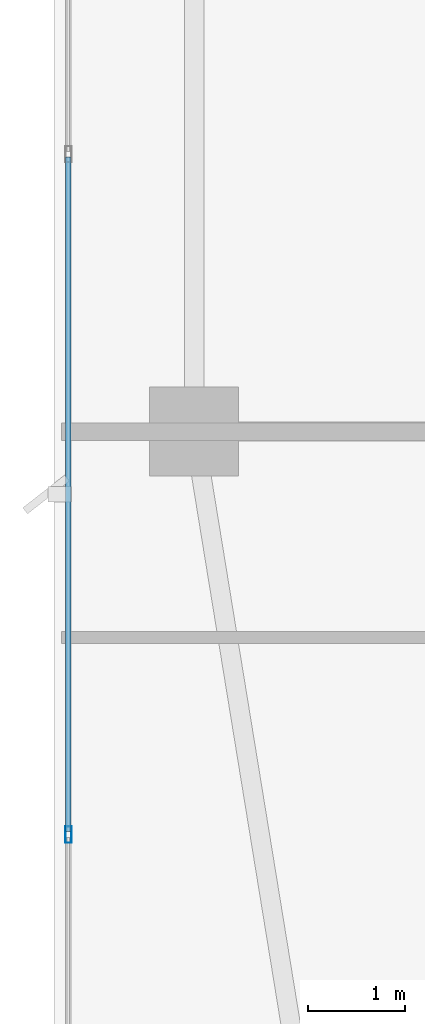
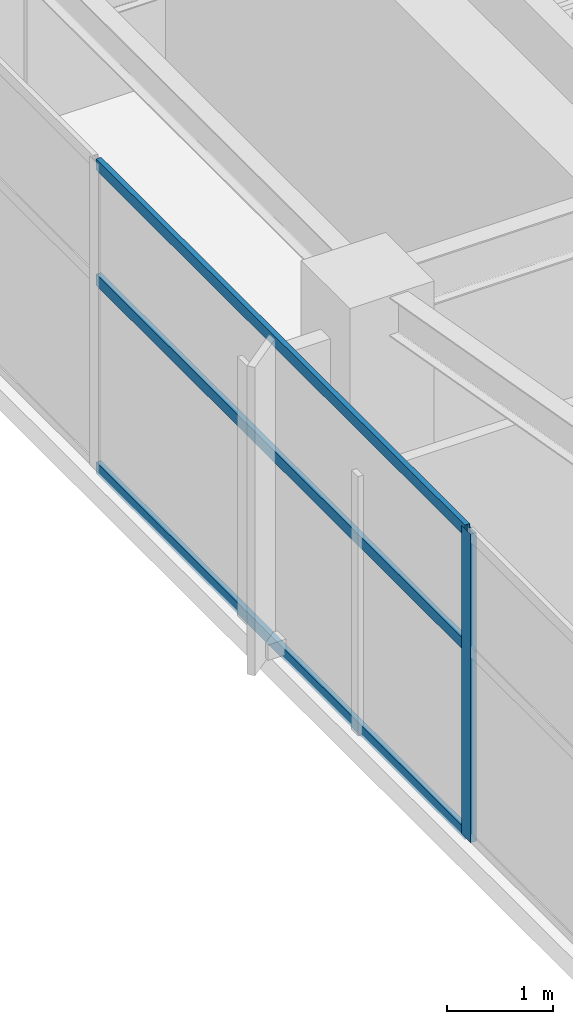
# One storey, part 5 of 28: 4 members, 1 element without a shape of its own.
"""IFC4 building model written with IfcOpenShell, lengths in metres."""

import ifcopenshell
import ifcopenshell.guid

model = None  # the IFC model being written
_history = None  # IfcOwnerHistory: only IFC2X3 demands one
_inside = {}  # id of a spatial element -> (the spatial element, [elements in it])
_under = {}  # id of a project, library or spatial element -> (it, [spatial elements below it])
_declared = {}  # id of a project -> (the project, [libraries it declares])
_typed = {}  # id of a type object -> (the type object, [elements of that type])
_made_of = {}  # id of a material, layer set ... -> (it, [elements and type objects made of it])


def new_model(schema):
    """Start an empty IFC model of exactly this schema.

    Asked for "IFC4X3", IfcOpenShell would pick the latest addendum, in which some entities
    have other attributes; the version numbers below select the first issue.
    IFC2X3 requires an IfcOwnerHistory on every rooted entity: one is made here for all.
    """
    global model, _history
    if schema == "IFC4X3":
        model = ifcopenshell.file(schema_version=(4, 3, 0, 0))
    else:
        model = ifcopenshell.file(schema=schema)
    _inside.clear()
    _under.clear()
    _declared.clear()
    _typed.clear()
    _made_of.clear()
    _history = None
    if model.schema == "IFC2X3":
        org = make("IfcOrganization", Name="unknown")
        user = make(
            "IfcPersonAndOrganization",
            ThePerson=make("IfcPerson", FamilyName="unknown"),
            TheOrganization=org,
        )
        app = make(
            "IfcApplication",
            ApplicationDeveloper=org,
            Version="unknown",
            ApplicationFullName="unknown",
            ApplicationIdentifier="unknown",
        )
        _history = make(
            "IfcOwnerHistory",
            OwningUser=user,
            OwningApplication=app,
            ChangeAction="ADDED",
            CreationDate=0,
        )
    return model


def make(cls, **values):
    """One entity of the class cls with the attributes given. An attribute that is None is left unset."""
    return model.create_entity(
        cls, **{name: value for name, value in values.items() if value is not None}
    )


def rooted(cls, **values):
    """An entity with a GlobalId (a new one), such as an element, a storey or a relation."""
    return make(cls, GlobalId=ifcopenshell.guid.new(), OwnerHistory=_history, **values)


def si_unit(unit_type, name, prefix=None):
    """IfcSIUnit, for example si_unit("LENGTHUNIT", "METRE", prefix="MILLI")."""
    return make("IfcSIUnit", UnitType=unit_type, Prefix=prefix, Name=name)


def assignment(units):
    """IfcUnitAssignment: the units of a project."""
    return None if units is None else make("IfcUnitAssignment", Units=units)


def point(xyz):
    """IfcCartesianPoint."""
    return None if xyz is None else make("IfcCartesianPoint", Coordinates=xyz)


def direction(xyz):
    """IfcDirection."""
    return None if xyz is None else make("IfcDirection", DirectionRatios=xyz)


def frame(location, z_axis=None, x_axis=None):
    """IfcAxis2Placement3D, a coordinate frame: its origin and axes. An axis left out is left unset."""
    return make(
        "IfcAxis2Placement3D",
        Location=point(location),
        Axis=direction(z_axis),
        RefDirection=direction(x_axis),
    )


def frame_2d(location, x_axis=None):
    """IfcAxis2Placement2D, a coordinate frame in the plane: its origin and x axis."""
    return make(
        "IfcAxis2Placement2D", Location=point(location), RefDirection=direction(x_axis)
    )


def origin():
    """The frame at (0, 0, 0) with its axes left unset."""
    return frame((0.0, 0.0, 0.0))


def origin_2d():
    """The frame at (0, 0) in the plane with its x axis left unset."""
    return frame_2d((0.0, 0.0))


def place(relative_to, where):
    """IfcLocalPlacement: puts the frame where relative to a parent placement (None: the world)."""
    return make(
        "IfcLocalPlacement", PlacementRelTo=relative_to, RelativePlacement=where
    )


def context(
    kind, dimensions, precision=None, world=None, true_north=None, identifier=None
):
    """IfcGeometricRepresentationContext, for example the 3D "Model" context."""
    return make(
        "IfcGeometricRepresentationContext",
        ContextIdentifier=identifier,
        ContextType=kind,
        CoordinateSpaceDimension=dimensions,
        Precision=precision,
        WorldCoordinateSystem=world,
        TrueNorth=true_north,
    )


def subcontext(parent, identifier, kind, view, scale=None):
    """IfcGeometricRepresentationSubContext, for example "Body" below "Model"."""
    return make(
        "IfcGeometricRepresentationSubContext",
        ContextIdentifier=identifier,
        ContextType=kind,
        ParentContext=parent,
        TargetScale=scale,
        TargetView=view,
    )


def project(units=None, contexts=None):
    """IfcProject with its units and contexts."""
    return rooted(
        "IfcProject",
        Name="project",
        RepresentationContexts=contexts,
        UnitsInContext=assignment(units),
    )


def spatial(cls, under=None, at=None, **own):
    """A site, building, storey or space (cls), placed at a placement, below another one or the project."""
    s = rooted(cls, ObjectPlacement=at, **own)
    if under is not None:
        _under.setdefault(under.id(), (under, []))[1].append(s)
    return s


def profile(cls, at=None, kind="AREA", **sizes):
    """A parametric profile (cls). Its sizes go by their IFC names, for example OverallWidth=200.0."""
    return make(cls, ProfileType=kind, Position=at, **sizes)


def hollow_rectangle(**sizes):
    """IfcRectangleHollowProfileDef."""
    return profile("IfcRectangleHollowProfileDef", **sizes)


def extrude(swept, where, along, depth):
    """IfcExtrudedAreaSolid: the profile swept, set in the frame where, extruded along a direction by depth."""
    return make(
        "IfcExtrudedAreaSolid",
        SweptArea=swept,
        Position=where,
        ExtrudedDirection=direction(along),
        Depth=depth,
    )


def shape(context_of_items, identifier, shape_type, items):
    """IfcShapeRepresentation: the items that make up one representation, for example the "Body"."""
    return make(
        "IfcShapeRepresentation",
        ContextOfItems=context_of_items,
        RepresentationIdentifier=identifier,
        RepresentationType=shape_type,
        Items=items,
    )


def material(Name=None, Category=None):
    """IfcMaterial."""
    return make("IfcMaterial", Name=Name, Category=Category)


def layer(
    of_material, thickness, ventilated=None, Name=None, Category=None, Priority=None
):
    """IfcMaterialLayer: one layer of a wall or slab, of a material (None: an air gap)."""
    return make(
        "IfcMaterialLayer",
        Material=of_material,
        LayerThickness=thickness,
        IsVentilated=ventilated,
        Name=Name,
        Category=Category,
        Priority=Priority,
    )


def layer_set(layers, Name=None):
    """IfcMaterialLayerSet."""
    return make("IfcMaterialLayerSet", MaterialLayers=layers, LayerSetName=Name)


def material_profile(
    of_material, cross_section, Name=None, Category=None, Priority=None
):
    """IfcMaterialProfile: a cross section and its material."""
    return make(
        "IfcMaterialProfile",
        Name=Name,
        Material=of_material,
        Profile=cross_section,
        Priority=Priority,
        Category=Category,
    )


def profile_set(profiles, Name=None, composite=None):
    """IfcMaterialProfileSet."""
    return make(
        "IfcMaterialProfileSet",
        Name=Name,
        MaterialProfiles=profiles,
        CompositeProfile=composite,
    )


def made_of(thing, what):
    """Note that an element or type object is made of a material, layer set ...; save() writes the relation."""
    if what is not None:
        _made_of.setdefault(what.id(), (what, []))[1].append(thing)
    return thing


def type_object(cls, material=None, **own):
    """A type object (cls), such as IfcWallType, which elements share."""
    return made_of(rooted(cls, **own), material)


def element(
    cls,
    number,
    at=None,
    inside=None,
    cuts=None,
    type_object=None,
    material=None,
    context=None,
    identifier="Body",
    shape_type=None,
    held_by="IfcProductDefinitionShape",
    body=None,
    shapes=None,
    **own,
):
    """One element of the class cls, such as IfcWall. Its Tag is "e" and its number.

    at: its placement. inside: the storey or other place that contains it. cuts: it is an
    opening in that element (IfcRelVoidsElement). A single representation is given by context,
    identifier, shape_type and body (its items); several are given by shapes. held_by: the class
    of the entity that holds the representations. save() writes the other relations.
    """
    e = rooted(cls, Tag="e%d" % number, ObjectPlacement=at, **own)
    if body is not None:
        shapes = [shape(context, identifier, shape_type, body)]
    if shapes is not None:
        e.Representation = make(held_by, Representations=shapes)
    if inside is not None:
        _inside.setdefault(inside.id(), (inside, []))[1].append(e)
    if cuts is not None:
        rooted(
            "IfcRelVoidsElement", RelatingBuildingElement=cuts, RelatedOpeningElement=e
        )
    if type_object is not None:
        _typed.setdefault(type_object.id(), (type_object, []))[1].append(e)
    return made_of(e, material)


def aggregate(whole, parts):
    """IfcRelAggregates: a whole, such as a stair, and the parts it consists of."""
    return rooted("IfcRelAggregates", RelatingObject=whole, RelatedObjects=parts)


def save(model, path):
    """Write the relations noted so far, then the file.

    IfcRelAggregates (storeys below a building ...), IfcRelContainedInSpatialStructure (elements
    in a storey), IfcRelDefinesByType, IfcRelAssociatesMaterial and IfcRelDeclares: one each for
    every whole, place, type object, material and project.
    """
    for whole, parts in _under.values():
        aggregate(whole, parts)
    for where, things in _inside.values():
        rooted(
            "IfcRelContainedInSpatialStructure",
            RelatedElements=things,
            RelatingStructure=where,
        )
    for kind, things in _typed.values():
        rooted("IfcRelDefinesByType", RelatedObjects=things, RelatingType=kind)
    for what, things in _made_of.values():
        rooted("IfcRelAssociatesMaterial", RelatedObjects=things, RelatingMaterial=what)
    for by, libraries in _declared.values():
        rooted("IfcRelDeclares", RelatingContext=by, RelatedDefinitions=libraries)
    model.write(path)


model = new_model("IFC4")

# Units and contexts
model_context = context("Model", 3, precision=1e-05, world=origin(), true_north=direction((0.0, 1.0)))
body_context = subcontext(model_context, "Body", "Model", "MODEL_VIEW")
ifc_project = project(units=[si_unit("LENGTHUNIT", "METRE"), si_unit("AREAUNIT", "SQUARE_METRE"), si_unit("VOLUMEUNIT", "CUBIC_METRE"), si_unit("PLANEANGLEUNIT", "RADIAN"), si_unit("MASSUNIT", "GRAM", prefix="KILO")], contexts=[model_context])

# Site, building, storey
site_placement = place(None, origin())
site = spatial("IfcSite", under=ifc_project, at=site_placement, CompositionType="ELEMENT")
building_placement = place(site_placement, origin())
building = spatial("IfcBuilding", under=site, at=building_placement, Name="Calvorn Quay Hotel", CompositionType="ELEMENT")
storey_placement = place(building_placement, frame((0.0, 0.0, 267.300048828125)))
storey = spatial("IfcBuildingStorey", under=building, at=storey_placement, Name="L66", CompositionType="ELEMENT", Elevation=267.300048828125)

# Curtain wall, members
ifc_material_1 = material(Name="Champagne Bronze Anodised Aluminium and Low-E Glass", Category="aluminium")
ifc_layer = layer(ifc_material_1, 0.219970703125)
ifc_layer_set = layer_set([ifc_layer], Name="CW-SYS-Z4")
curtain_wall_type = type_object("IfcCurtainWallType", Name="CW-SYS-Z4", PredefinedType="NOTDEFINED", material=ifc_layer_set)
curtain_wall_placement = place(storey_placement, origin())
curtain_wall = element("IfcCurtainWall", 1, at=curtain_wall_placement, inside=storey, type_object=curtain_wall_type, Name="Tower West Curtain Wall (L66)", PredefinedType="NOTDEFINED")
ifc_material_2 = material(Name="Champagne Bronze Anodised Aluminium 6063-T6", Category="aluminium")
ifc_material_profile_1 = material_profile(ifc_material_2, hollow_rectangle(XDim=0.06494140625, YDim=0.169921875, WallThickness=0.00341796875, at=origin_2d()), Name="ALU-M170x65x3.5")
ifc_profile_set_1 = profile_set([ifc_material_profile_1], Name="Champagne Bronze Anodised Aluminium 6063-T6")
member_type_1 = type_object("IfcMemberType", Name="CW-SYS-Z4-MUL", PredefinedType="MULLION", material=ifc_profile_set_1)
member_1_placement = place(storey_placement, frame((0.14990234375, 12.63330078125, 0.0), z_axis=(0.0, 0.0, 1.0), x_axis=(-1.0, 0.0, 0.0)))
member_1 = element("IfcMember", 2, at=member_1_placement, type_object=member_type_1, Name="CW-L66-W mullion 2", PredefinedType="MULLION", context=body_context, shape_type="SweptSolid", body=[
    extrude(hollow_rectangle(XDim=0.06494140625, YDim=0.169921875, WallThickness=0.00341796875, at=origin_2d()), origin(), (0.0, 0.0, 1.0), 3.56005859375),
])
ifc_material_3 = material(Name="Champagne Bronze Anodised Aluminium 6063-T6", Category="aluminium")
ifc_material_profile_2 = material_profile(ifc_material_3, hollow_rectangle(XDim=0.054931640625, YDim=0.1298828125, WallThickness=0.003173828125, at=origin_2d()), Name="ALU-T130x55x3.2")
ifc_profile_set_2 = profile_set([ifc_material_profile_2], Name="Champagne Bronze Anodised Aluminium 6063-T6")
member_type_2 = type_object("IfcMemberType", Name="CW-SYS-Z4-TRN", PredefinedType="USERDEFINED", material=ifc_profile_set_2)
member_2_placement = place(storey_placement, frame((0.14990234375, 12.663330078125, 0.030029296875), z_axis=(0.0, 1.0, 0.0), x_axis=(-1.0, 0.0, 0.0)))
member_2 = element("IfcMember", 3, at=member_2_placement, type_object=member_type_2, Name="CW-L66-W transom 2.1", ObjectType="TRANSOM", PredefinedType="USERDEFINED", context=body_context, shape_type="SweptSolid", body=[
    extrude(hollow_rectangle(XDim=0.054931640625, YDim=0.1298828125, WallThickness=0.003173828125, at=origin_2d()), origin(), (0.0, 0.0, 1.0), 6.973388671875),
])
member_3_placement = place(storey_placement, frame((0.14990234375, 12.663330078125, 2.199951171875), z_axis=(0.0, 1.0, 0.0), x_axis=(-1.0, 0.0, 0.0)))
member_3 = element("IfcMember", 4, at=member_3_placement, type_object=member_type_2, Name="CW-L66-W transom 2.2", ObjectType="TRANSOM", PredefinedType="USERDEFINED", context=body_context, shape_type="SweptSolid", body=[
    extrude(hollow_rectangle(XDim=0.054931640625, YDim=0.1298828125, WallThickness=0.003173828125, at=origin_2d()), origin(), (0.0, 0.0, 1.0), 6.973388671875),
])
member_4_placement = place(storey_placement, frame((0.14990234375, 12.663330078125, 3.530029296875), z_axis=(0.0, 1.0, 0.0), x_axis=(-1.0, 0.0, 0.0)))
member_4 = element("IfcMember", 5, at=member_4_placement, type_object=member_type_2, Name="CW-L66-W transom 2.3", ObjectType="TRANSOM", PredefinedType="USERDEFINED", context=body_context, shape_type="SweptSolid", body=[
    extrude(hollow_rectangle(XDim=0.054931640625, YDim=0.1298828125, WallThickness=0.003173828125, at=origin_2d()), origin(), (0.0, 0.0, 1.0), 6.973388671875),
])
aggregate(curtain_wall, [member_1, member_2, member_3, member_4])

save(model, "model.ifc")
